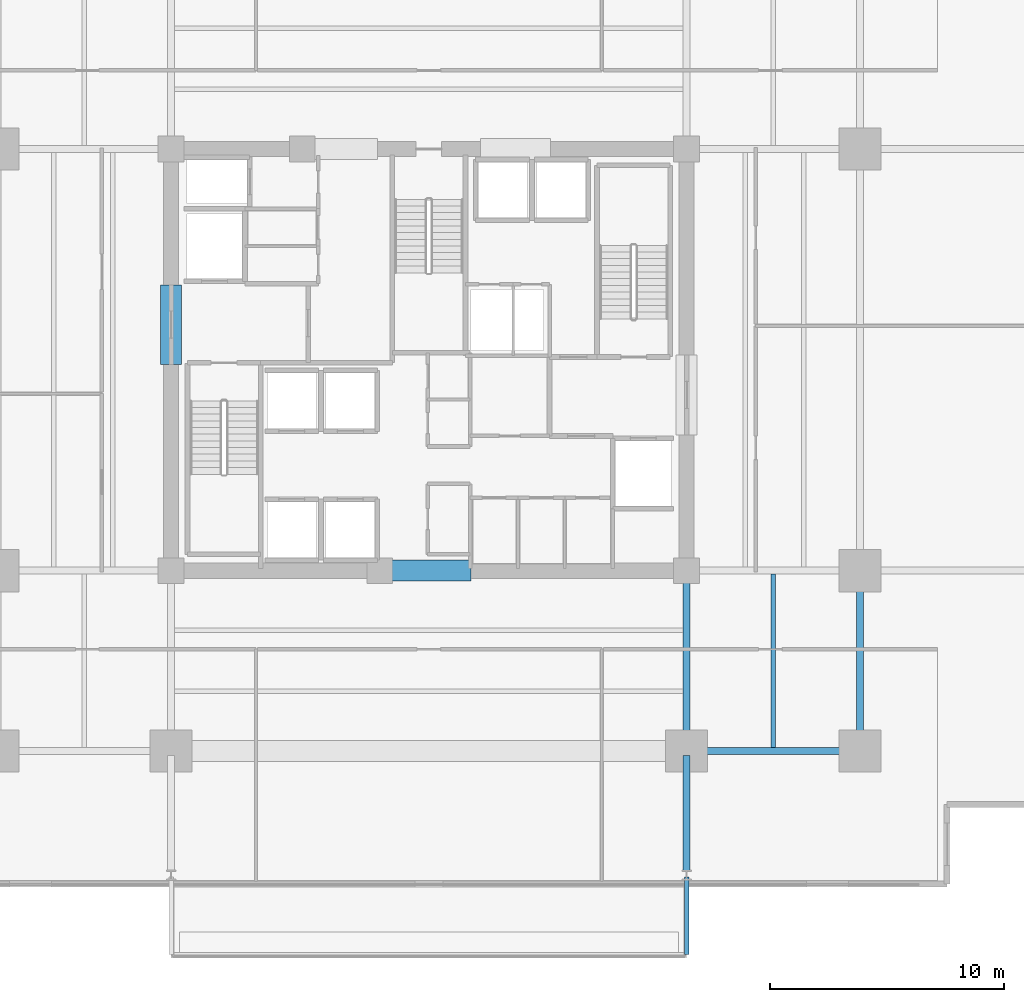
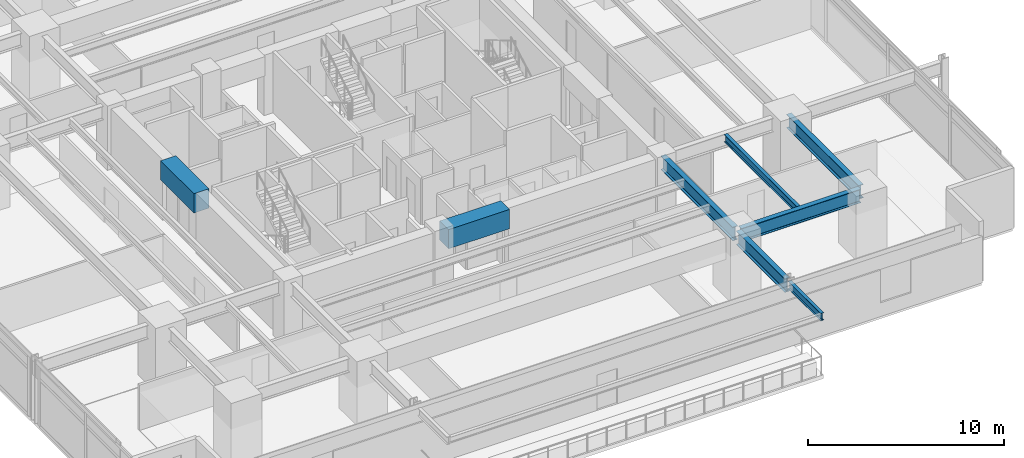
# One storey, part 7 of 23: 8 beams.
"""IFC4 building model written with IfcOpenShell, lengths in metres."""

import ifcopenshell
import ifcopenshell.guid

model = None  # the IFC model being written
_history = None  # IfcOwnerHistory: only IFC2X3 demands one
_inside = {}  # id of a spatial element -> (the spatial element, [elements in it])
_under = {}  # id of a project, library or spatial element -> (it, [spatial elements below it])
_declared = {}  # id of a project -> (the project, [libraries it declares])
_typed = {}  # id of a type object -> (the type object, [elements of that type])
_made_of = {}  # id of a material, layer set ... -> (it, [elements and type objects made of it])


def new_model(schema):
    """Start an empty IFC model of exactly this schema.

    Asked for "IFC4X3", IfcOpenShell would pick the latest addendum, in which some entities
    have other attributes; the version numbers below select the first issue.
    IFC2X3 requires an IfcOwnerHistory on every rooted entity: one is made here for all.
    """
    global model, _history
    if schema == "IFC4X3":
        model = ifcopenshell.file(schema_version=(4, 3, 0, 0))
    else:
        model = ifcopenshell.file(schema=schema)
    _inside.clear()
    _under.clear()
    _declared.clear()
    _typed.clear()
    _made_of.clear()
    _history = None
    if model.schema == "IFC2X3":
        org = make("IfcOrganization", Name="unknown")
        user = make(
            "IfcPersonAndOrganization",
            ThePerson=make("IfcPerson", FamilyName="unknown"),
            TheOrganization=org,
        )
        app = make(
            "IfcApplication",
            ApplicationDeveloper=org,
            Version="unknown",
            ApplicationFullName="unknown",
            ApplicationIdentifier="unknown",
        )
        _history = make(
            "IfcOwnerHistory",
            OwningUser=user,
            OwningApplication=app,
            ChangeAction="ADDED",
            CreationDate=0,
        )
    return model


def make(cls, **values):
    """One entity of the class cls with the attributes given. An attribute that is None is left unset."""
    return model.create_entity(
        cls, **{name: value for name, value in values.items() if value is not None}
    )


def rooted(cls, **values):
    """An entity with a GlobalId (a new one), such as an element, a storey or a relation."""
    return make(cls, GlobalId=ifcopenshell.guid.new(), OwnerHistory=_history, **values)


def si_unit(unit_type, name, prefix=None):
    """IfcSIUnit, for example si_unit("LENGTHUNIT", "METRE", prefix="MILLI")."""
    return make("IfcSIUnit", UnitType=unit_type, Prefix=prefix, Name=name)


def assignment(units):
    """IfcUnitAssignment: the units of a project."""
    return None if units is None else make("IfcUnitAssignment", Units=units)


def point(xyz):
    """IfcCartesianPoint."""
    return None if xyz is None else make("IfcCartesianPoint", Coordinates=xyz)


def direction(xyz):
    """IfcDirection."""
    return None if xyz is None else make("IfcDirection", DirectionRatios=xyz)


def frame(location, z_axis=None, x_axis=None):
    """IfcAxis2Placement3D, a coordinate frame: its origin and axes. An axis left out is left unset."""
    return make(
        "IfcAxis2Placement3D",
        Location=point(location),
        Axis=direction(z_axis),
        RefDirection=direction(x_axis),
    )


def frame_2d(location, x_axis=None):
    """IfcAxis2Placement2D, a coordinate frame in the plane: its origin and x axis."""
    return make(
        "IfcAxis2Placement2D", Location=point(location), RefDirection=direction(x_axis)
    )


def origin():
    """The frame at (0, 0, 0) with its axes left unset."""
    return frame((0.0, 0.0, 0.0))


def origin_2d():
    """The frame at (0, 0) in the plane with its x axis left unset."""
    return frame_2d((0.0, 0.0))


def place(relative_to, where):
    """IfcLocalPlacement: puts the frame where relative to a parent placement (None: the world)."""
    return make(
        "IfcLocalPlacement", PlacementRelTo=relative_to, RelativePlacement=where
    )


def context(
    kind, dimensions, precision=None, world=None, true_north=None, identifier=None
):
    """IfcGeometricRepresentationContext, for example the 3D "Model" context."""
    return make(
        "IfcGeometricRepresentationContext",
        ContextIdentifier=identifier,
        ContextType=kind,
        CoordinateSpaceDimension=dimensions,
        Precision=precision,
        WorldCoordinateSystem=world,
        TrueNorth=true_north,
    )


def subcontext(parent, identifier, kind, view, scale=None):
    """IfcGeometricRepresentationSubContext, for example "Body" below "Model"."""
    return make(
        "IfcGeometricRepresentationSubContext",
        ContextIdentifier=identifier,
        ContextType=kind,
        ParentContext=parent,
        TargetScale=scale,
        TargetView=view,
    )


def project(units=None, contexts=None):
    """IfcProject with its units and contexts."""
    return rooted(
        "IfcProject",
        Name="project",
        RepresentationContexts=contexts,
        UnitsInContext=assignment(units),
    )


def spatial(cls, under=None, at=None, **own):
    """A site, building, storey or space (cls), placed at a placement, below another one or the project."""
    s = rooted(cls, ObjectPlacement=at, **own)
    if under is not None:
        _under.setdefault(under.id(), (under, []))[1].append(s)
    return s


def profile(cls, at=None, kind="AREA", **sizes):
    """A parametric profile (cls). Its sizes go by their IFC names, for example OverallWidth=200.0."""
    return make(cls, ProfileType=kind, Position=at, **sizes)


def rectangle(**sizes):
    """IfcRectangleProfileDef."""
    return profile("IfcRectangleProfileDef", **sizes)


def i_section(**sizes):
    """IfcIShapeProfileDef."""
    return profile("IfcIShapeProfileDef", **sizes)


def extrude(swept, where, along, depth):
    """IfcExtrudedAreaSolid: the profile swept, set in the frame where, extruded along a direction by depth."""
    return make(
        "IfcExtrudedAreaSolid",
        SweptArea=swept,
        Position=where,
        ExtrudedDirection=direction(along),
        Depth=depth,
    )


def shape(context_of_items, identifier, shape_type, items):
    """IfcShapeRepresentation: the items that make up one representation, for example the "Body"."""
    return make(
        "IfcShapeRepresentation",
        ContextOfItems=context_of_items,
        RepresentationIdentifier=identifier,
        RepresentationType=shape_type,
        Items=items,
    )


def material(Name=None, Category=None):
    """IfcMaterial."""
    return make("IfcMaterial", Name=Name, Category=Category)


def material_profile(
    of_material, cross_section, Name=None, Category=None, Priority=None
):
    """IfcMaterialProfile: a cross section and its material."""
    return make(
        "IfcMaterialProfile",
        Name=Name,
        Material=of_material,
        Profile=cross_section,
        Priority=Priority,
        Category=Category,
    )


def profile_set(profiles, Name=None, composite=None):
    """IfcMaterialProfileSet."""
    return make(
        "IfcMaterialProfileSet",
        Name=Name,
        MaterialProfiles=profiles,
        CompositeProfile=composite,
    )


def made_of(thing, what):
    """Note that an element or type object is made of a material, layer set ...; save() writes the relation."""
    if what is not None:
        _made_of.setdefault(what.id(), (what, []))[1].append(thing)
    return thing


def type_object(cls, material=None, **own):
    """A type object (cls), such as IfcWallType, which elements share."""
    return made_of(rooted(cls, **own), material)


def element(
    cls,
    number,
    at=None,
    inside=None,
    cuts=None,
    type_object=None,
    material=None,
    context=None,
    identifier="Body",
    shape_type=None,
    held_by="IfcProductDefinitionShape",
    body=None,
    shapes=None,
    **own,
):
    """One element of the class cls, such as IfcWall. Its Tag is "e" and its number.

    at: its placement. inside: the storey or other place that contains it. cuts: it is an
    opening in that element (IfcRelVoidsElement). A single representation is given by context,
    identifier, shape_type and body (its items); several are given by shapes. held_by: the class
    of the entity that holds the representations. save() writes the other relations.
    """
    e = rooted(cls, Tag="e%d" % number, ObjectPlacement=at, **own)
    if body is not None:
        shapes = [shape(context, identifier, shape_type, body)]
    if shapes is not None:
        e.Representation = make(held_by, Representations=shapes)
    if inside is not None:
        _inside.setdefault(inside.id(), (inside, []))[1].append(e)
    if cuts is not None:
        rooted(
            "IfcRelVoidsElement", RelatingBuildingElement=cuts, RelatedOpeningElement=e
        )
    if type_object is not None:
        _typed.setdefault(type_object.id(), (type_object, []))[1].append(e)
    return made_of(e, material)


def aggregate(whole, parts):
    """IfcRelAggregates: a whole, such as a stair, and the parts it consists of."""
    return rooted("IfcRelAggregates", RelatingObject=whole, RelatedObjects=parts)


def save(model, path):
    """Write the relations noted so far, then the file.

    IfcRelAggregates (storeys below a building ...), IfcRelContainedInSpatialStructure (elements
    in a storey), IfcRelDefinesByType, IfcRelAssociatesMaterial and IfcRelDeclares: one each for
    every whole, place, type object, material and project.
    """
    for whole, parts in _under.values():
        aggregate(whole, parts)
    for where, things in _inside.values():
        rooted(
            "IfcRelContainedInSpatialStructure",
            RelatedElements=things,
            RelatingStructure=where,
        )
    for kind, things in _typed.values():
        rooted("IfcRelDefinesByType", RelatedObjects=things, RelatingType=kind)
    for what, things in _made_of.values():
        rooted("IfcRelAssociatesMaterial", RelatedObjects=things, RelatingMaterial=what)
    for by, libraries in _declared.values():
        rooted("IfcRelDeclares", RelatingContext=by, RelatedDefinitions=libraries)
    model.write(path)


model = new_model("IFC4")

# Units and contexts
model_context = context("Model", 3, precision=1e-05, world=origin(), true_north=direction((0.0, 1.0)))
body_context = subcontext(model_context, "Body", "Model", "MODEL_VIEW")
ifc_project = project(units=[si_unit("LENGTHUNIT", "METRE"), si_unit("AREAUNIT", "SQUARE_METRE"), si_unit("VOLUMEUNIT", "CUBIC_METRE"), si_unit("PLANEANGLEUNIT", "RADIAN"), si_unit("MASSUNIT", "GRAM", prefix="KILO")], contexts=[model_context])

# Site, building, storey
site_placement = place(None, origin())
site = spatial("IfcSite", under=ifc_project, at=site_placement, CompositionType="ELEMENT")
building_placement = place(site_placement, origin())
building = spatial("IfcBuilding", under=site, at=building_placement, Name="Kovane Verandah Tower", CompositionType="ELEMENT")
storey_placement = place(building_placement, frame((0.0, 0.0, 63.60009765625)))
storey = spatial("IfcBuildingStorey", under=building, at=storey_placement, Name="L14", CompositionType="ELEMENT", Elevation=63.60009765625)

# Beams
ifc_material_1 = material(Name="Concrete C80/95", Category="concrete")
ifc_material_profile_1 = material_profile(ifc_material_1, rectangle(XDim=0.89990234375, YDim=1.199951171875, at=origin_2d()), Name="RCB900x1200")
ifc_profile_set_1 = profile_set([ifc_material_profile_1], Name="Concrete C80/95")
beam_type_1 = type_object("IfcBeamType", Name="BM-LINTEL-900x1200", PredefinedType="LINTEL", material=ifc_profile_set_1)
beam_1_placement = place(storey_placement, frame((38.199951171875, 18.5, 3.159912109375), z_axis=(1.0, 0.0, 0.0), x_axis=(0.0, 1.0, 0.0)))
element("IfcBeam", 1, at=beam_1_placement, inside=storey, type_object=beam_type_1, Name="L14 Core Coupling Lintel CL-S", PredefinedType="LINTEL", context=body_context, shape_type="SweptSolid", body=[
    extrude(rectangle(XDim=0.89990234375, YDim=1.199951171875, at=origin_2d()), origin(), (0.0, 0.0, 1.0), 3.60009765625),
])
beam_2_placement = place(storey_placement, frame((29.0, 27.300048828125, 3.159912109375), z_axis=(0.0, 1.0, 0.0), x_axis=(-1.0, 0.0, 0.0)))
element("IfcBeam", 2, at=beam_2_placement, inside=storey, type_object=beam_type_1, Name="L14 Core Coupling Lintel CL-W", PredefinedType="LINTEL", context=body_context, shape_type="SweptSolid", body=[
    extrude(rectangle(XDim=0.89990234375, YDim=1.199951171875, at=origin_2d()), origin(), (0.0, 0.0, 1.0), 3.39990234375),
])
ifc_material_2 = material(Name="Steel S355", Category="steel")
ifc_material_profile_2 = material_profile(ifc_material_2, i_section(OverallWidth=0.293701171875, OverallDepth=0.850830078125, WebThickness=0.01611328125, FlangeThickness=0.02685546875, FilletRadius=0.017822265625, at=origin_2d()), Name="UB838x292x226")
ifc_profile_set_2 = profile_set([ifc_material_profile_2], Name="Steel S355")
beam_type_2 = type_object("IfcBeamType", Name="BM-UB838x226", PredefinedType="BEAM", material=ifc_profile_set_2)
beam_3_placement = place(storey_placement, frame((51.179931640625, 10.800048828125, 3.33447265625), z_axis=(1.0, 0.0, 0.0), x_axis=(0.0, 1.0, 0.0)))
element("IfcBeam", 3, at=beam_3_placement, inside=storey, type_object=beam_type_2, Name="L14 Primary Tower Girder G-RS3", PredefinedType="BEAM", context=body_context, shape_type="SweptSolid", body=[
    extrude(i_section(OverallWidth=0.293701171875, OverallDepth=0.850830078125, WebThickness=0.01611328125, FlangeThickness=0.02685546875, FilletRadius=0.017822265625, at=origin_2d()), origin(), (0.0, 0.0, 1.0), 7.0400390625),
])
for number, where, z_axis, x_axis, name in (
    (4, (58.39990234375, 10.97998046875, 3.33447265625), (0.0, 1.0, 0.0), (-1.0, 0.0, 0.0), "L14 Primary Tower Girder G-RE1"),
    (5, (51.0, 18.320068359375, 3.33447265625), (0.0, -1.0, 0.0), (1.0, 0.0, 0.0), "L14 Primary Tower Girder G-S2"),
):
    element("IfcBeam", number, at=place(storey_placement, frame(where, z_axis=z_axis, x_axis=x_axis)), inside=storey, type_object=beam_type_2, Name=name, PredefinedType="BEAM", context=body_context, shape_type="SweptSolid", body=[
        extrude(i_section(OverallWidth=0.293701171875, OverallDepth=0.850830078125, WebThickness=0.01611328125, FlangeThickness=0.02685546875, FilletRadius=0.017822265625, at=origin_2d()), origin(), (0.0, 0.0, 1.0), 7.340087890625),
    ])
beam_4_placement = place(storey_placement, frame((51.0, 10.6201171875, 3.33447265625), z_axis=(0.0, -1.0, 0.0), x_axis=(1.0, 0.0, 0.0)))
element("IfcBeam", 6, at=beam_4_placement, inside=storey, type_object=beam_type_2, Name="L14 Primary Tower Girder G-VS2", PredefinedType="BEAM", context=body_context, shape_type="SweptSolid", body=[
    extrude(i_section(OverallWidth=0.293701171875, OverallDepth=0.850830078125, WebThickness=0.01611328125, FlangeThickness=0.02685546875, FilletRadius=0.017822265625, at=origin_2d()), origin(), (0.0, 0.0, 1.0), 4.940185546875),
])
ifc_material_profile_3 = material_profile(ifc_material_2, i_section(OverallWidth=0.19287109375, OverallDepth=0.46728515625, WebThickness=0.011474609375, FlangeThickness=0.01953125, FilletRadius=0.01025390625, at=origin_2d()), Name="UB457x191x98")
ifc_profile_set_3 = profile_set([ifc_material_profile_3], Name="Steel S355")
beam_type_3 = type_object("IfcBeamType", Name="JST-UB457x98", PredefinedType="JOIST", material=ifc_profile_set_3)
beam_5_placement = place(storey_placement, frame((54.699951171875, 10.94482421875, 3.5263671875), z_axis=(0.0, 1.0, 0.0), x_axis=(-1.0, 0.0, 0.0)))
element("IfcBeam", 7, at=beam_5_placement, inside=storey, type_object=beam_type_3, Name="L14 Secondary Composite Joist J-SE1", PredefinedType="JOIST", context=body_context, shape_type="SweptSolid", body=[
    extrude(i_section(OverallWidth=0.19287109375, OverallDepth=0.46728515625, WebThickness=0.011474609375, FlangeThickness=0.01953125, FilletRadius=0.01025390625, at=origin_2d()), origin(), (0.0, 0.0, 1.0), 7.41015625),
])
beam_6_placement = place(storey_placement, frame((51.0, 5.419921875, 3.5263671875), z_axis=(0.0, -1.0, 0.0), x_axis=(1.0, 0.0, 0.0)))
element("IfcBeam", 8, at=beam_6_placement, inside=storey, type_object=beam_type_3, Name="L14 South Planter Girder 2", PredefinedType="JOIST", context=body_context, shape_type="SweptSolid", body=[
    extrude(i_section(OverallWidth=0.19287109375, OverallDepth=0.46728515625, WebThickness=0.011474609375, FlangeThickness=0.01953125, FilletRadius=0.01025390625, at=origin_2d()), origin(), (0.0, 0.0, 1.0), 3.310791015625),
])

save(model, "model.ifc")
